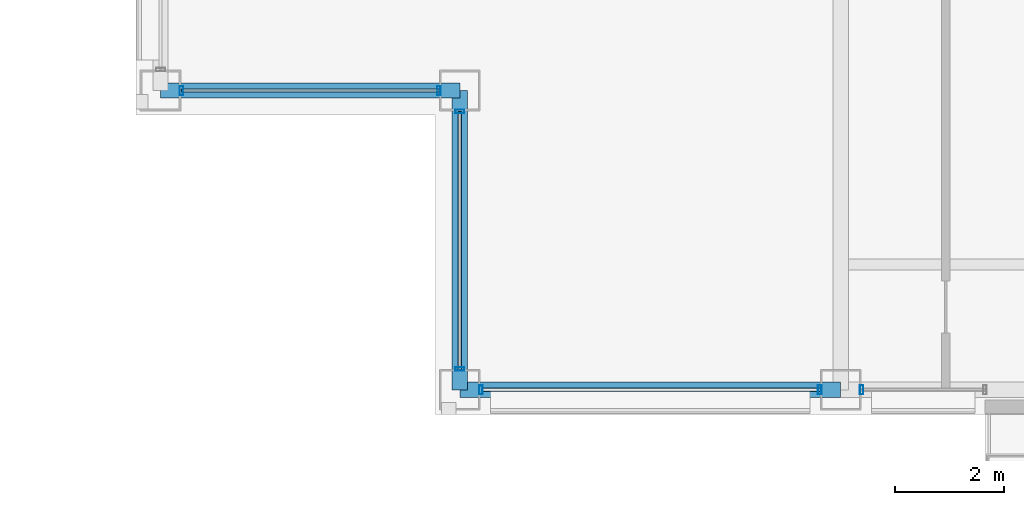
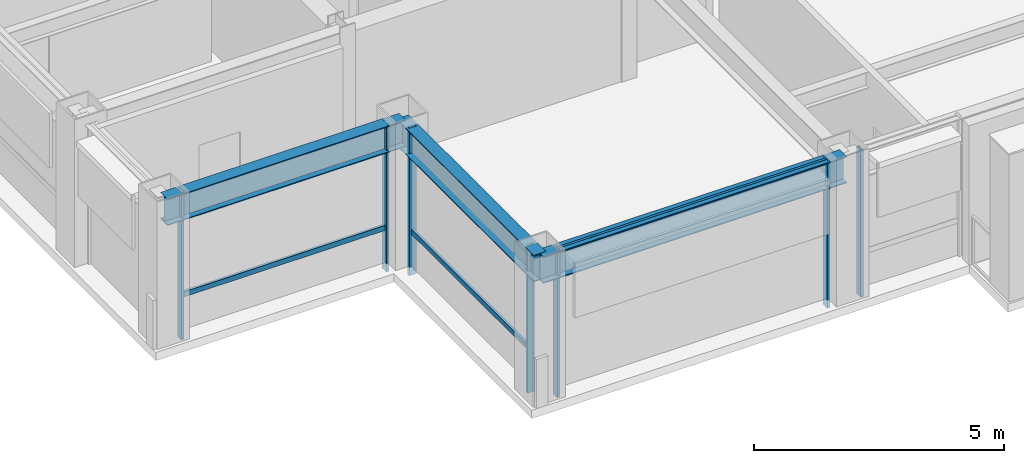
# One storey, part 2 of 31: 10 members, 3 beams, 4 elements without a shape of their own.
"""IFC4 building model written with IfcOpenShell, lengths in metres."""

from ifc_helpers import new_model, si_unit, direction, frame, origin, origin_2d, place, context, subcontext, project, spatial, hollow_rectangle, i_section, extrude, material, layer, layer_set, material_profile, profile_set, type_object, element, aggregate, save


model = new_model("IFC4")

# Units and contexts
model_context = context("Model", 3, precision=1e-05, world=origin(), true_north=direction((0.0, 1.0)))
body_context = subcontext(model_context, "Body", "Model", "MODEL_VIEW")
ifc_project = project(units=[si_unit("LENGTHUNIT", "METRE"), si_unit("AREAUNIT", "SQUARE_METRE"), si_unit("VOLUMEUNIT", "CUBIC_METRE"), si_unit("PLANEANGLEUNIT", "RADIAN"), si_unit("MASSUNIT", "GRAM", prefix="KILO")], contexts=[model_context])

# Site, building, storey
site_placement = place(None, origin())
site = spatial("IfcSite", under=ifc_project, at=site_placement, CompositionType="ELEMENT")
building_placement = place(site_placement, origin())
building = spatial("IfcBuilding", under=site, at=building_placement, Name="Brelmoor Portico Tower", CompositionType="ELEMENT")
storey_placement = place(building_placement, frame((0.0, 0.0, 176.699951171875)))
storey = spatial("IfcBuildingStorey", under=building, at=storey_placement, Name="L46", CompositionType="ELEMENT", Elevation=176.699951171875)

# Beams
ifc_material_1 = material(Name="Steel Q355B", Category="steel")
ifc_material_profile_1 = material_profile(ifc_material_1, i_section(OverallWidth=0.280029296875, OverallDepth=0.64990234375, WebThickness=0.012939453125, FlangeThickness=0.02197265625, at=origin_2d()), Name="HN 650x280x13x22")
ifc_profile_set_1 = profile_set([ifc_material_profile_1], Name="Steel Q355B")
beam_type = type_object("IfcBeamType", Name="BM-SP-650", PredefinedType="SPANDREL", material=ifc_profile_set_1)
beam_placement = place(storey_placement, frame((-15.050048828125, -18.550048828125, 3.074951171875), z_axis=(1.0, 0.0, 0.0), x_axis=(0.0, 1.0, 0.0)))
element("IfcBeam", 1, at=beam_placement, inside=storey, type_object=beam_type, Name="L46 Perimeter Spandrel Beam SP-01", PredefinedType="SPANDREL", context=body_context, shape_type="SweptSolid", body=[
    extrude(i_section(OverallWidth=0.280029296875, OverallDepth=0.64990234375, WebThickness=0.012939453125, FlangeThickness=0.02197265625, at=origin_2d()), origin(), (0.0, 0.0, 1.0), 7.0),
])
for number, where, z_axis, x_axis, name in (
    (2, (-20.550048828125, -13.050048828125, 3.074951171875), (1.0, 0.0, 0.0), (0.0, 1.0, 0.0), "L46 Perimeter Spandrel Beam SP-04"),
    (3, (-15.050048828125, -18.550048828125, 3.074951171875), (0.0, 1.0, 0.0), (-1.0, 0.0, 0.0), "L46 Perimeter Spandrel Beam SP-14"),
):
    element("IfcBeam", number, at=place(storey_placement, frame(where, z_axis=z_axis, x_axis=x_axis)), inside=storey, type_object=beam_type, Name=name, PredefinedType="SPANDREL", context=body_context, shape_type="SweptSolid", body=[
        extrude(i_section(OverallWidth=0.280029296875, OverallDepth=0.64990234375, WebThickness=0.012939453125, FlangeThickness=0.02197265625, at=origin_2d()), origin(), (0.0, 0.0, 1.0), 5.5),
    ])

# Curtain wall, members
ifc_material_2 = material(Name="Anodised Aluminium Alloy 6063-T6", Category="aluminium")
ifc_layer_1 = layer(ifc_material_2, 0.179931640625)
ifc_layer_set_1 = layer_set([ifc_layer_1], Name="Anodised Aluminium Alloy 6063-T6")
curtain_wall_type_1 = type_object("IfcCurtainWallType", Name="CW-TOWER-Z3-XB", PredefinedType="NOTDEFINED", material=ifc_layer_set_1)
curtain_wall_1_placement = place(storey_placement, origin())
curtain_wall_1 = element("IfcCurtainWall", 4, at=curtain_wall_1_placement, inside=storey, type_object=curtain_wall_type_1, Name="L46 Curtain Wall CW-L46-1L-1", PredefinedType="NOTDEFINED")
ifc_material_profile_2 = material_profile(ifc_material_2, hollow_rectangle(XDim=0.06494140625, YDim=0.1650390625, WallThickness=0.00390625, at=origin_2d()), Name="ALU MULLION 65x165")
ifc_profile_set_2 = profile_set([ifc_material_profile_2], Name="Anodised Aluminium Alloy 6063-T6")
member_type_1 = type_object("IfcMemberType", Name="MB-CW-MULL-165", PredefinedType="MULLION", material=ifc_profile_set_2)
member_1_placement = place(storey_placement, frame((-14.6650390625, -18.550048828125, -0.199951171875), z_axis=(0.0, 0.0, 1.0), x_axis=(1.0, 0.0, 0.0)))
member_1 = element("IfcMember", 5, at=member_1_placement, type_object=member_type_1, Name="CW-L46-1L-1 Mullion 00", PredefinedType="MULLION", context=body_context, shape_type="SweptSolid", body=[
    extrude(hollow_rectangle(XDim=0.06494140625, YDim=0.1650390625, WallThickness=0.00390625, at=origin_2d()), origin(), (0.0, 0.0, 1.0), 3.60009765625),
])
member_2_placement = place(storey_placement, frame((-8.43505859375, -18.550048828125, -0.199951171875), z_axis=(0.0, 0.0, 1.0), x_axis=(1.0, 0.0, 0.0)))
member_2 = element("IfcMember", 6, at=member_2_placement, type_object=member_type_1, Name="CW-L46-1L-1 Mullion 01", PredefinedType="MULLION", context=body_context, shape_type="SweptSolid", body=[
    extrude(hollow_rectangle(XDim=0.06494140625, YDim=0.1650390625, WallThickness=0.00390625, at=origin_2d()), origin(), (0.0, 0.0, 1.0), 3.60009765625),
])

# Curtain wall, member
ifc_layer_2 = layer(ifc_material_2, 0.179931640625)
ifc_layer_set_2 = layer_set([ifc_layer_2], Name="Anodised Aluminium Alloy 6063-T6")
curtain_wall_type_2 = type_object("IfcCurtainWallType", Name="CW-TOWER-Z3", PredefinedType="NOTDEFINED", material=ifc_layer_set_2)
curtain_wall_2_placement = place(storey_placement, origin())
curtain_wall_2 = element("IfcCurtainWall", 7, at=curtain_wall_2_placement, inside=storey, type_object=curtain_wall_type_2, Name="L46 Curtain Wall CW-L46-1L-2", PredefinedType="NOTDEFINED")
member_3_placement = place(storey_placement, frame((-7.6650390625, -18.550048828125, -0.199951171875), z_axis=(0.0, 0.0, 1.0), x_axis=(1.0, 0.0, 0.0)))
member_3 = element("IfcMember", 8, at=member_3_placement, type_object=member_type_1, Name="CW-L46-1L-2 Mullion 00", PredefinedType="MULLION", context=body_context, shape_type="SweptSolid", body=[
    extrude(hollow_rectangle(XDim=0.06494140625, YDim=0.1650390625, WallThickness=0.00390625, at=origin_2d()), origin(), (0.0, 0.0, 1.0), 3.60009765625),
])
aggregate(curtain_wall_2, [member_3])

# Curtain wall, members
ifc_layer_3 = layer(ifc_material_2, 0.179931640625)
ifc_layer_set_3 = layer_set([ifc_layer_3], Name="Anodised Aluminium Alloy 6063-T6")
curtain_wall_type_3 = type_object("IfcCurtainWallType", Name="CW-NOTCH-CHAMFER", PredefinedType="NOTDEFINED", material=ifc_layer_set_3)
curtain_wall_3_placement = place(storey_placement, origin())
curtain_wall_3 = element("IfcCurtainWall", 9, at=curtain_wall_3_placement, inside=storey, type_object=curtain_wall_type_3, Name="L46 Curtain Wall CWN-L46-SWH", PredefinedType="NOTDEFINED")
member_4_placement = place(storey_placement, frame((-20.1650390625, -13.050048828125, -0.199951171875), z_axis=(0.0, 0.0, 1.0), x_axis=(1.0, 0.0, 0.0)))
member_4 = element("IfcMember", 10, at=member_4_placement, type_object=member_type_1, Name="CWN-L46-SWH Mullion 00", PredefinedType="MULLION", context=body_context, shape_type="SweptSolid", body=[
    extrude(hollow_rectangle(XDim=0.06494140625, YDim=0.1650390625, WallThickness=0.00390625, at=origin_2d()), origin(), (0.0, 0.0, 1.0), 3.60009765625),
])
member_5_placement = place(storey_placement, frame((-15.43505859375, -13.050048828125, -0.199951171875), z_axis=(0.0, 0.0, 1.0), x_axis=(1.0, 0.0, 0.0)))
member_5 = element("IfcMember", 11, at=member_5_placement, type_object=member_type_1, Name="CWN-L46-SWH Mullion 01", PredefinedType="MULLION", context=body_context, shape_type="SweptSolid", body=[
    extrude(hollow_rectangle(XDim=0.06494140625, YDim=0.1650390625, WallThickness=0.00390625, at=origin_2d()), origin(), (0.0, 0.0, 1.0), 3.60009765625),
])

curtain_wall_4_placement = place(storey_placement, origin())
curtain_wall_4 = element("IfcCurtainWall", 12, at=curtain_wall_4_placement, inside=storey, type_object=curtain_wall_type_3, Name="L46 Curtain Wall CWN-L46-SWV", PredefinedType="NOTDEFINED")
member_6_placement = place(storey_placement, frame((-15.050048828125, -18.1650390625, -0.199951171875), z_axis=(0.0, 0.0, 1.0), x_axis=(0.0, 1.0, 0.0)))
member_6 = element("IfcMember", 13, at=member_6_placement, type_object=member_type_1, Name="CWN-L46-SWV Mullion 00", PredefinedType="MULLION", context=body_context, shape_type="SweptSolid", body=[
    extrude(hollow_rectangle(XDim=0.06494140625, YDim=0.1650390625, WallThickness=0.00390625, at=origin_2d()), origin(), (0.0, 0.0, 1.0), 3.60009765625),
])
member_7_placement = place(storey_placement, frame((-15.050048828125, -13.43505859375, -0.199951171875), z_axis=(0.0, 0.0, 1.0), x_axis=(0.0, 1.0, 0.0)))
member_7 = element("IfcMember", 14, at=member_7_placement, type_object=member_type_1, Name="CWN-L46-SWV Mullion 01", PredefinedType="MULLION", context=body_context, shape_type="SweptSolid", body=[
    extrude(hollow_rectangle(XDim=0.06494140625, YDim=0.1650390625, WallThickness=0.00390625, at=origin_2d()), origin(), (0.0, 0.0, 1.0), 3.60009765625),
])

# Member
ifc_material_profile_3 = material_profile(ifc_material_2, hollow_rectangle(XDim=0.06005859375, YDim=0.125, WallThickness=0.00341796875, at=origin_2d()), Name="ALU TRANSOM 60x125")
ifc_profile_set_3 = profile_set([ifc_material_profile_3], Name="Anodised Aluminium Alloy 6063-T6")
member_type_2 = type_object("IfcMemberType", Name="MB-CW-TRAN-125", PredefinedType="USERDEFINED", material=ifc_profile_set_3)
member_8_placement = place(storey_placement, frame((-14.6650390625, -18.550048828125, 3.337646484375), z_axis=(1.0, 0.0, 0.0), x_axis=(0.0, 1.0, 0.0)))
member_8 = element("IfcMember", 15, at=member_8_placement, type_object=member_type_2, Name="CW-L46-1L-1 Transom 1-00", ObjectType="TRANSOM", PredefinedType="USERDEFINED", context=body_context, shape_type="SweptSolid", body=[
    extrude(hollow_rectangle(XDim=0.06005859375, YDim=0.125, WallThickness=0.00341796875, at=origin_2d()), origin(), (0.0, 0.0, 1.0), 6.22998046875),
])

aggregate(curtain_wall_1, [member_1, member_2, member_8])

member_9_placement = place(storey_placement, frame((-20.1650390625, -13.050048828125, 0.85009765625), z_axis=(1.0, 0.0, 0.0), x_axis=(0.0, 1.0, 0.0)))
member_9 = element("IfcMember", 16, at=member_9_placement, type_object=member_type_2, Name="CWN-L46-SWH Transom 1-00", ObjectType="TRANSOM", PredefinedType="USERDEFINED", context=body_context, shape_type="SweptSolid", body=[
    extrude(hollow_rectangle(XDim=0.06005859375, YDim=0.125, WallThickness=0.00341796875, at=origin_2d()), origin(), (0.0, 0.0, 1.0), 4.72998046875),
])

aggregate(curtain_wall_3, [member_4, member_5, member_9])

member_10_placement = place(storey_placement, frame((-15.050048828125, -18.1650390625, 0.85009765625), z_axis=(0.0, 1.0, 0.0), x_axis=(-1.0, 0.0, 0.0)))
member_10 = element("IfcMember", 17, at=member_10_placement, type_object=member_type_2, Name="CWN-L46-SWV Transom 1-00", ObjectType="TRANSOM", PredefinedType="USERDEFINED", context=body_context, shape_type="SweptSolid", body=[
    extrude(hollow_rectangle(XDim=0.06005859375, YDim=0.125, WallThickness=0.00341796875, at=origin_2d()), origin(), (0.0, 0.0, 1.0), 4.72998046875),
])

aggregate(curtain_wall_4, [member_6, member_7, member_10])

save(model, "model.ifc")
